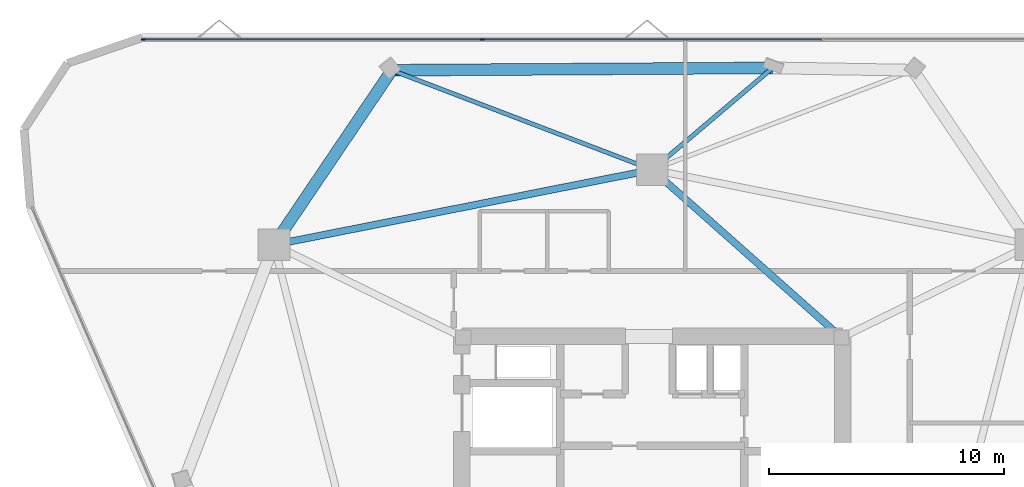
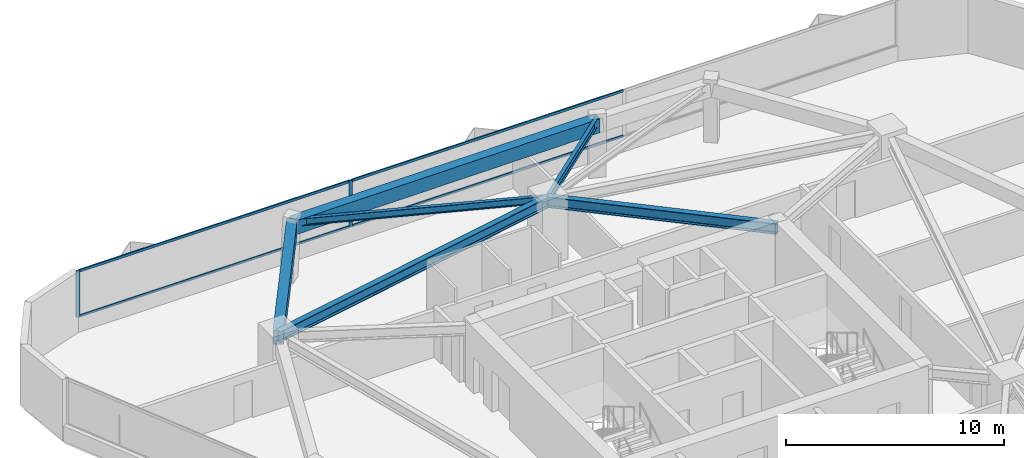
# One storey, part 6 of 12: 6 beams, 6 members, 1 element without a shape of its own.
"""IFC4 building model written with IfcOpenShell, lengths in metres."""

from ifc_helpers import new_model, si_unit, direction, frame, origin, origin_2d, place, context, subcontext, project, spatial, rectangle, i_section, extrude, material, layer, layer_set, material_profile, profile_set, type_object, element, aggregate, save


model = new_model("IFC4")

# Units and contexts
model_context = context("Model", 3, precision=1e-05, world=origin(), true_north=direction((0.0, 1.0)))
body_context = subcontext(model_context, "Body", "Model", "MODEL_VIEW")
ifc_project = project(units=[si_unit("LENGTHUNIT", "METRE"), si_unit("AREAUNIT", "SQUARE_METRE"), si_unit("VOLUMEUNIT", "CUBIC_METRE"), si_unit("PLANEANGLEUNIT", "RADIAN"), si_unit("MASSUNIT", "GRAM", prefix="KILO")], contexts=[model_context])

# Site, building, storey
site_placement = place(None, origin())
site = spatial("IfcSite", under=ifc_project, at=site_placement, CompositionType="ELEMENT")
building_placement = place(site_placement, origin())
building = spatial("IfcBuilding", under=site, at=building_placement, Name="Talyreon Biosciences Tower", CompositionType="ELEMENT")
storey_placement = place(building_placement, frame((0.0, 0.0, 186.699951171875)))
storey = spatial("IfcBuildingStorey", under=building, at=storey_placement, Name="L49", CompositionType="ELEMENT", Elevation=186.699951171875)

# Curtain wall, members
ifc_material_1 = material(Name="Thermally broken aluminium and low-E glazing", Category="aluminium")
ifc_layer = layer(ifc_material_1, 0.179931640625)
ifc_layer_set = layer_set([ifc_layer], Name="Thermally broken aluminium and low-E glazing")
curtain_wall_type = type_object("IfcCurtainWallType", Name="CurtainWall_Zone4Optical", PredefinedType="NOTDEFINED", material=ifc_layer_set)
curtain_wall_placement = place(storey_placement, origin())
curtain_wall = element("IfcCurtainWall", 1, at=curtain_wall_placement, inside=storey, type_object=curtain_wall_type, Name="L49 Unitised Curtain Wall FCW-L49-04", PredefinedType="NOTDEFINED")
ifc_material_2 = material(Name="Anodised thermally broken aluminium", Category="aluminium")
ifc_material_profile_1 = material_profile(ifc_material_2, rectangle(XDim=0.06494140625, YDim=0.179931640625, at=origin_2d()), Name="ALUM MULLION 65x180")
ifc_profile_set_1 = profile_set([ifc_material_profile_1], Name="Anodised thermally broken aluminium")
member_type_1 = type_object("IfcMemberType", Name="CWMullion_65x180", PredefinedType="MULLION", material=ifc_profile_set_1)
member_1_placement = place(storey_placement, frame((44.336181640625, 87.3388671875, 0.81005859375), z_axis=(0.0, 0.0, 1.0), x_axis=(0.0, 1.0, 0.0)))
member_1 = element("IfcMember", 2, at=member_1_placement, type_object=member_type_1, Name="CW5 mullion 1", PredefinedType="MULLION", context=body_context, shape_type="SweptSolid", body=[
    extrude(rectangle(XDim=0.06494140625, YDim=0.179931640625, at=origin_2d()), origin(), (0.0, 0.0, 1.0), 2.590087890625),
])
member_2_placement = place(storey_placement, frame((58.767822265625, 87.3388671875, 0.81005859375), z_axis=(0.0, 0.0, 1.0), x_axis=(0.0, 1.0, 0.0)))
member_2 = element("IfcMember", 3, at=member_2_placement, type_object=member_type_1, Name="CW5 mullion 2", PredefinedType="MULLION", context=body_context, shape_type="SweptSolid", body=[
    extrude(rectangle(XDim=0.06494140625, YDim=0.179931640625, at=origin_2d()), origin(), (0.0, 0.0, 1.0), 2.590087890625),
])
ifc_material_profile_2 = material_profile(ifc_material_2, rectangle(XDim=0.06494140625, YDim=0.139892578125, at=origin_2d()), Name="ALUM TRANSOM 65x140")
ifc_profile_set_2 = profile_set([ifc_material_profile_2], Name="Anodised thermally broken aluminium")
member_type_2 = type_object("IfcMemberType", Name="CWTransom_65x140", PredefinedType="USERDEFINED", material=ifc_profile_set_2)
member_3_placement = place(storey_placement, frame((44.368896484375, 87.3388671875, 0.842529296875), z_axis=(1.0, 0.0, 0.0), x_axis=(0.0, 1.0, 0.0)))
member_3 = element("IfcMember", 4, at=member_3_placement, type_object=member_type_2, Name="CW5 transom 1.1", ObjectType="TRANSOM", PredefinedType="USERDEFINED", context=body_context, shape_type="SweptSolid", body=[
    extrude(rectangle(XDim=0.06494140625, YDim=0.139892578125, at=origin_2d()), origin(), (0.0, 0.0, 1.0), 14.366455078125),
])
member_4_placement = place(storey_placement, frame((44.368896484375, 87.3388671875, 3.367431640625), z_axis=(1.0, 0.0, 0.0), x_axis=(0.0, 1.0, 0.0)))
member_4 = element("IfcMember", 5, at=member_4_placement, type_object=member_type_2, Name="CW5 transom 1.2", ObjectType="TRANSOM", PredefinedType="USERDEFINED", context=body_context, shape_type="SweptSolid", body=[
    extrude(rectangle(XDim=0.06494140625, YDim=0.139892578125, at=origin_2d()), origin(), (0.0, 0.0, 1.0), 14.366455078125),
])
member_5_placement = place(storey_placement, frame((58.800537109375, 87.3388671875, 0.842529296875), z_axis=(1.0, 0.0, 0.0), x_axis=(0.0, 1.0, 0.0)))
member_5 = element("IfcMember", 6, at=member_5_placement, type_object=member_type_2, Name="CW5 transom 2.1", ObjectType="TRANSOM", PredefinedType="USERDEFINED", context=body_context, shape_type="SweptSolid", body=[
    extrude(rectangle(XDim=0.06494140625, YDim=0.139892578125, at=origin_2d()), origin(), (0.0, 0.0, 1.0), 14.39892578125),
])
member_6_placement = place(storey_placement, frame((58.800537109375, 87.3388671875, 3.367431640625), z_axis=(1.0, 0.0, 0.0), x_axis=(0.0, 1.0, 0.0)))
member_6 = element("IfcMember", 7, at=member_6_placement, type_object=member_type_2, Name="CW5 transom 2.2", ObjectType="TRANSOM", PredefinedType="USERDEFINED", context=body_context, shape_type="SweptSolid", body=[
    extrude(rectangle(XDim=0.06494140625, YDim=0.139892578125, at=origin_2d()), origin(), (0.0, 0.0, 1.0), 14.39892578125),
])
aggregate(curtain_wall, [member_1, member_2, member_3, member_4, member_5, member_6])

# Beams
ifc_material_3 = material(Name="Precast concrete C45/55", Category="concrete")
ifc_material_profile_3 = material_profile(ifc_material_3, rectangle(XDim=0.5, YDim=0.780029296875, at=origin_2d()), Name="RCB 500x780")
ifc_profile_set_3 = profile_set([ifc_material_profile_3], Name="Precast concrete C45/55")
beam_type_1 = type_object("IfcBeamType", Name="ExpressedSpandrel_500x780", PredefinedType="SPANDREL", material=ifc_profile_set_3)
beam_1_placement = place(storey_placement, frame((71.11669921875, 86.12451171875, 3.010009765625), z_axis=(-0.999980917556, -0.00617774427, 0.0), x_axis=(0.00617774427, -0.999980917556, 0.0)))
element("IfcBeam", 8, at=beam_1_placement, inside=storey, type_object=beam_type_1, Name="L49 Expressed Horizontal Concrete Spandrel 07", PredefinedType="SPANDREL", context=body_context, shape_type="SweptSolid", body=[
    extrude(rectangle(XDim=0.5, YDim=0.780029296875, at=origin_2d()), origin(), (0.0, 0.0, 1.0), 16.202880859375),
])
beam_2_placement = place(storey_placement, frame((54.9140625, 86.0244140625, 3.010009765625), z_axis=(-0.559776019089, -0.828643957591, 0.0), x_axis=(0.828643957591, -0.559776019089, 0.0)))
element("IfcBeam", 9, at=beam_2_placement, inside=storey, type_object=beam_type_1, Name="L49 Expressed Horizontal Concrete Spandrel 08", PredefinedType="SPANDREL", context=body_context, shape_type="SweptSolid", body=[
    extrude(rectangle(XDim=0.5, YDim=0.780029296875, at=origin_2d()), origin(), (0.0, 0.0, 1.0), 8.96142578125),
])
ifc_material_4 = material(Name="Steel SM355", Category="steel")
ifc_material_profile_4 = material_profile(ifc_material_4, i_section(OverallWidth=0.300048828125, OverallDepth=0.60009765625, WebThickness=0.015380859375, FlangeThickness=0.030029296875, FilletRadius=0.027099609375, at=origin_2d()), Name="HE600B")
ifc_profile_set_4 = profile_set([ifc_material_profile_4], Name="Steel SM355")
beam_type_2 = type_object("IfcBeamType", Name="SteelBeam_HE600B", PredefinedType="BEAM", material=ifc_profile_set_4)
beam_3_placement = place(storey_placement, frame((66.0, 81.788818359375, 3.10009765625), z_axis=(-0.980933730698, -0.194342522311, 0.0), x_axis=(0.194342522311, -0.980933730698, 0.0)))
element("IfcBeam", 10, at=beam_3_placement, inside=storey, type_object=beam_type_2, Name="L49 Mega-Ring Girder 4", PredefinedType="BEAM", context=body_context, shape_type="SweptSolid", body=[
    extrude(i_section(OverallWidth=0.300048828125, OverallDepth=0.60009765625, WebThickness=0.015380859375, FlangeThickness=0.030029296875, FilletRadius=0.027099609375, at=origin_2d()), origin(), (0.0, 0.0, 1.0), 16.415283203125),
])
beam_4_placement = place(storey_placement, frame((74.050048828125, 74.64990234375, 3.10009765625), z_axis=(-0.748178733955, 0.663497235908, 0.0), x_axis=(-0.663497235908, -0.748178733955, 0.0)))
element("IfcBeam", 11, at=beam_4_placement, inside=storey, type_object=beam_type_2, Name="L49 Radial Primary Girder 4", PredefinedType="BEAM", context=body_context, shape_type="SweptSolid", body=[
    extrude(i_section(OverallWidth=0.300048828125, OverallDepth=0.60009765625, WebThickness=0.015380859375, FlangeThickness=0.030029296875, FilletRadius=0.027099609375, at=origin_2d()), origin(), (0.0, 0.0, 1.0), 10.759521484375),
])
ifc_material_profile_5 = material_profile(ifc_material_4, i_section(OverallWidth=0.179931640625, OverallDepth=0.39990234375, WebThickness=0.008544921875, FlangeThickness=0.013427734375, FilletRadius=0.02099609375, at=origin_2d()), Name="IPE400")
ifc_profile_set_5 = profile_set([ifc_material_profile_5], Name="Steel SM355")
beam_type_3 = type_object("IfcBeamType", Name="SteelJoist_IPE400", PredefinedType="JOIST", material=ifc_profile_set_5)
beam_5_placement = place(storey_placement, frame((66.0, 81.788818359375, 3.199951171875), z_axis=(-0.934140212139, 0.356906239879, 0.0), x_axis=(-0.356906239879, -0.934140212139, 0.0)))
element("IfcBeam", 12, at=beam_5_placement, inside=storey, type_object=beam_type_3, Name="L49 Radial Composite Floor Joist PC-N2", PredefinedType="JOIST", context=body_context, shape_type="SweptSolid", body=[
    extrude(i_section(OverallWidth=0.179931640625, OverallDepth=0.39990234375, WebThickness=0.008544921875, FlangeThickness=0.013427734375, FilletRadius=0.02099609375, at=origin_2d()), origin(), (0.0, 0.0, 1.0), 11.867431640625),
])
ifc_material_profile_6 = material_profile(ifc_material_4, i_section(OverallWidth=0.18994140625, OverallDepth=0.449951171875, WebThickness=0.009521484375, FlangeThickness=0.0146484375, FilletRadius=0.02099609375, at=origin_2d()), Name="IPE450")
ifc_profile_set_6 = profile_set([ifc_material_profile_6], Name="Steel SM355")
beam_type_4 = type_object("IfcBeamType", Name="SteelJoist_IPE450", PredefinedType="JOIST", material=ifc_profile_set_6)
beam_6_placement = place(storey_placement, frame((66.0, 81.788818359375, 3.175048828125), z_axis=(0.76293181359, 0.646478961616, 0.0), x_axis=(-0.646478961616, 0.76293181359, 0.0)))
element("IfcBeam", 13, at=beam_6_placement, inside=storey, type_object=beam_type_4, Name="L49 Radial Composite Floor Joist PL-N", PredefinedType="JOIST", context=body_context, shape_type="SweptSolid", body=[
    extrude(i_section(OverallWidth=0.18994140625, OverallDepth=0.449951171875, WebThickness=0.009521484375, FlangeThickness=0.0146484375, FilletRadius=0.02099609375, at=origin_2d()), origin(), (0.0, 0.0, 1.0), 6.70654296875),
])

save(model, "model.ifc")
